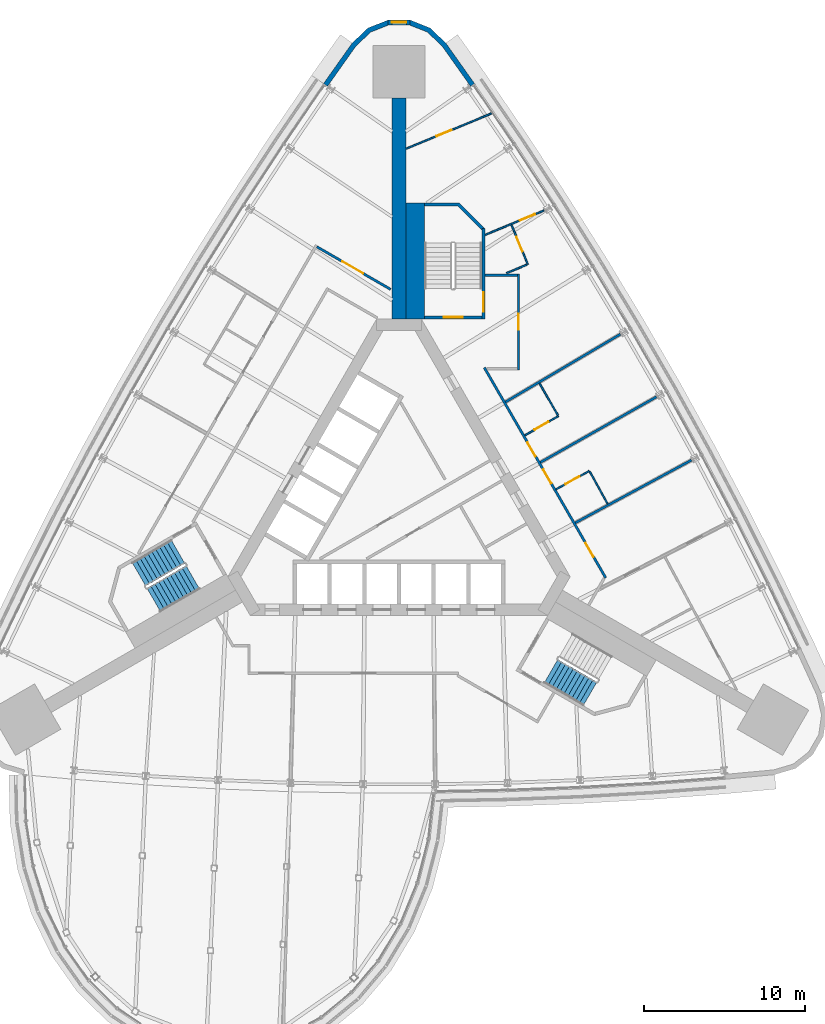
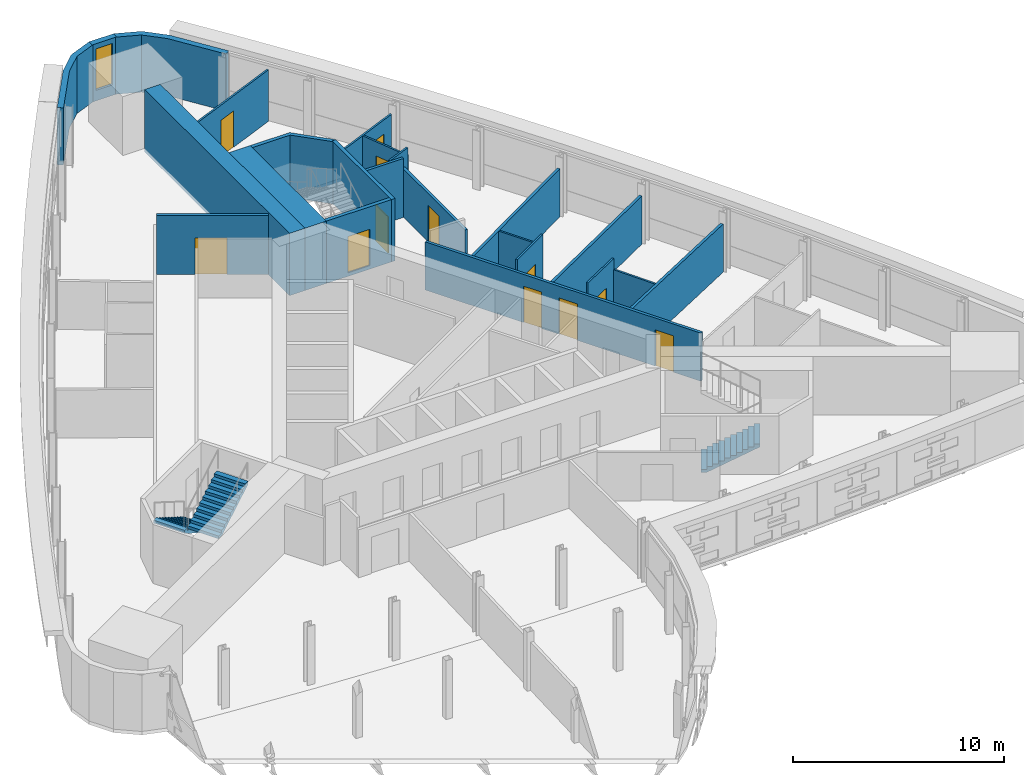
# One storey, part 12 of 16: 23 walls, 12 doors, 3 stair flights, 1 window, 13 openings, 2 elements without a shape of their own.
"""IFC4 building model written with IfcOpenShell, lengths in metres."""

from ifc_helpers import new_model, si_unit, direction, frame, frame_2d, origin, place, context, subcontext, project, spatial, polyline, rectangle, outline, extrude, material, layer, layer_set, type_object, element, fill, aggregate, save


model = new_model("IFC4")

# Units and contexts
model_context = context("Model", 3, precision=1e-05, world=origin(), true_north=direction((0.0, 1.0)))
body_context = subcontext(model_context, "Body", "Model", "MODEL_VIEW")
ifc_project = project(units=[si_unit("LENGTHUNIT", "METRE"), si_unit("AREAUNIT", "SQUARE_METRE"), si_unit("VOLUMEUNIT", "CUBIC_METRE"), si_unit("PLANEANGLEUNIT", "RADIAN"), si_unit("MASSUNIT", "GRAM", prefix="KILO")], contexts=[model_context])

# Site, building, storey
site_placement = place(None, origin())
site = spatial("IfcSite", under=ifc_project, at=site_placement, CompositionType="ELEMENT")
building_placement = place(site_placement, origin())
building = spatial("IfcBuilding", under=site, at=building_placement, Name="Noor Cloister Tower", CompositionType="ELEMENT")
storey_placement = place(building_placement, frame((0.0, 0.0, 61.800048828125)))
storey = spatial("IfcBuildingStorey", under=building, at=storey_placement, Name="L15", CompositionType="ELEMENT", Elevation=61.800048828125)

# Wall
ifc_material_1 = material(Name="Concrete C80/95", Category="concrete")
ifc_layer_1 = layer(ifc_material_1, 0.85009765625)
ifc_layer_set_1 = layer_set([ifc_layer_1], Name="Buttress wall 850 C80/95")
wall_type_1 = type_object("IfcWallType", Name="Buttress wall 850 C80/95", PredefinedType="SHEAR", material=ifc_layer_set_1)
wall_1_placement = place(storey_placement, frame((0.0, 11.456298828125, -0.199951171875), z_axis=(0.0, 0.0, 1.0), x_axis=(0.0, 1.0, 0.0)))
element("IfcWall", 1, at=wall_1_placement, inside=storey, type_object=wall_type_1, Name="Buttress wall N L15", PredefinedType="SHEAR", context=body_context, shape_type="SweptSolid", body=[
    extrude(rectangle(XDim=13.69873046875, YDim=0.85009765625, at=frame_2d((6.849365234375, 0.0))), origin(), (0.0, 0.0, 1.0), 3.599853515625),
])

# Wall, openings, doors
ifc_material_2 = material(Name="Gypsum board partition on steel studs, 150 mm", Category="steel")
ifc_layer_2 = layer(ifc_material_2, 0.14990234375)
ifc_layer_set_2 = layer_set([ifc_layer_2], Name="Flat wall 150")
wall_type_2 = type_object("IfcWallType", Name="Flat wall 150", PredefinedType="PARTITIONING", material=ifc_layer_set_2)
wall_2_placement = place(storey_placement, frame((5.28857421875, 8.4462890625, 0.0), z_axis=(0.0, 0.0, 1.0), x_axis=(0.499996620721, -0.866027354803, 0.0)))
wall_2 = element("IfcWall", 2, at=wall_2_placement, inside=storey, type_object=wall_type_2, Name="Flat wall 150 L15 003", PredefinedType="PARTITIONING", context=body_context, shape_type="SweptSolid", body=[
    extrude(rectangle(XDim=15.056640625, YDim=0.14990234375, at=frame_2d((7.5283203125, 0.0))), origin(), (0.0, 0.0, 1.0), 2.77783203125),
])
opening_1_placement = place(wall_2_placement, frame((12.562744140625, 0.0, 0.0)))
opening_1 = element("IfcOpeningElement", 3, at=opening_1_placement, cuts=wall_2, Name="Opening L15-006", PredefinedType="OPENING", context=body_context, shape_type="SweptSolid", body=[
    extrude(rectangle(XDim=1.0, YDim=2.10009765625, at=frame_2d((0.5, 1.050048828125))), frame((0.0, 0.0849609375, 0.0), z_axis=(0.0, -1.0, 0.0), x_axis=(1.0, 0.0, 0.0)), (0.0, 0.0, 1.0), 0.169921875),
])
opening_2_placement = place(wall_2_placement, frame((7.31201171875, 0.0, 0.0)))
opening_2 = element("IfcOpeningElement", 4, at=opening_2_placement, cuts=wall_2, Name="Opening L15-007", PredefinedType="OPENING", context=body_context, shape_type="SweptSolid", body=[
    extrude(rectangle(XDim=1.0, YDim=2.10009765625, at=frame_2d((0.5, 1.050048828125))), frame((0.0, 0.0849609375, 0.0), z_axis=(0.0, -1.0, 0.0), x_axis=(1.0, 0.0, 0.0)), (0.0, 0.0, 1.0), 0.169921875),
])
opening_3_placement = place(wall_2_placement, frame((5.35595703125, 0.0, 0.0)))
opening_3 = element("IfcOpeningElement", 5, at=opening_3_placement, cuts=wall_2, Name="Opening L15-008", PredefinedType="OPENING", context=body_context, shape_type="SweptSolid", body=[
    extrude(rectangle(XDim=1.0, YDim=2.10009765625, at=frame_2d((0.5, 1.050048828125))), frame((0.0, 0.0849609375, 0.0), z_axis=(0.0, -1.0, 0.0), x_axis=(1.0, 0.0, 0.0)), (0.0, 0.0, 1.0), 0.169921875),
])
ifc_material_3 = material(Name="Timber door leaf with steel frame", Category="steel")
door_type_1 = type_object("IfcDoorType", Name="Flat entrance door 1000 FD60S", OperationType="NOTDEFINED", PredefinedType="DOOR", material=ifc_material_3)
door_1_placement = place(opening_1_placement, origin())
door_1 = element("IfcDoor", 6, at=door_1_placement, inside=storey, type_object=door_type_1, Name="Flat entrance door 1000 L15-006", OperationType="SINGLE_SWING_RIGHT", OverallHeight=2.10009765625, OverallWidth=1.0, PredefinedType="DOOR", context=body_context, shape_type="SweptSolid", body=[
    extrude(rectangle(XDim=1.0, YDim=2.10009765625, at=frame_2d((0.5, 1.050048828125))), frame((0.0, 0.02490234375, 0.0), z_axis=(0.0, -1.0, 0.0), x_axis=(1.0, 0.0, 0.0)), (0.0, 0.0, 1.0), 0.050048828125),
])
fill(opening_1, door_1)
door_2_placement = place(opening_2_placement, origin())
door_2 = element("IfcDoor", 7, at=door_2_placement, inside=storey, type_object=door_type_1, Name="Flat entrance door 1000 L15-007", OperationType="SINGLE_SWING_RIGHT", OverallHeight=2.10009765625, OverallWidth=1.0, PredefinedType="DOOR", context=body_context, shape_type="SweptSolid", body=[
    extrude(rectangle(XDim=1.0, YDim=2.10009765625, at=frame_2d((0.5, 1.050048828125))), frame((0.0, 0.02490234375, 0.0), z_axis=(0.0, -1.0, 0.0), x_axis=(1.0, 0.0, 0.0)), (0.0, 0.0, 1.0), 0.050048828125),
])
fill(opening_2, door_2)
door_3_placement = place(opening_3_placement, origin())
door_3 = element("IfcDoor", 8, at=door_3_placement, inside=storey, type_object=door_type_1, Name="Flat entrance door 1000 L15-008", OperationType="SINGLE_SWING_LEFT", OverallHeight=2.10009765625, OverallWidth=1.0, PredefinedType="DOOR", context=body_context, shape_type="SweptSolid", body=[
    extrude(rectangle(XDim=1.0, YDim=2.10009765625, at=frame_2d((0.5, 1.050048828125))), frame((0.0, 0.02490234375, 0.0), z_axis=(0.0, -1.0, 0.0), x_axis=(1.0, 0.0, 0.0)), (0.0, 0.0, 1.0), 0.050048828125),
])
fill(opening_3, door_3)

# Wall, opening, door
wall_3_placement = place(storey_placement, frame((7.41064453125, 14.25634765625, 0.0), z_axis=(0.0, 0.0, 1.0), x_axis=(0.0, -1.0, 0.0)))
wall_3 = element("IfcWall", 9, at=wall_3_placement, inside=storey, type_object=wall_type_2, Name="Flat wall 150 L15 006", PredefinedType="PARTITIONING", context=body_context, shape_type="SweptSolid", body=[
    extrude(rectangle(XDim=5.949951171875, YDim=0.14990234375, at=frame_2d((2.97509765625, 0.0))), origin(), (0.0, 0.0, 1.0), 2.77783203125),
])
opening_4_placement = place(wall_3_placement, frame((2.47509765625, 0.0, 0.0)))
opening_4 = element("IfcOpeningElement", 10, at=opening_4_placement, cuts=wall_3, Name="Opening L15-012", PredefinedType="OPENING", context=body_context, shape_type="SweptSolid", body=[
    extrude(rectangle(XDim=1.0, YDim=2.10009765625, at=frame_2d((0.5, 1.050048828125))), frame((0.0, 0.0849609375, 0.0), z_axis=(0.0, -1.0, 0.0), x_axis=(1.0, 0.0, 0.0)), (0.0, 0.0, 1.0), 0.169921875),
])
door_4_placement = place(opening_4_placement, origin())
door_4 = element("IfcDoor", 11, at=door_4_placement, inside=storey, type_object=door_type_1, Name="Flat entrance door 1000 L15-012", OperationType="SINGLE_SWING_RIGHT", OverallHeight=2.10009765625, OverallWidth=1.0, PredefinedType="DOOR", context=body_context, shape_type="SweptSolid", body=[
    extrude(rectangle(XDim=1.0, YDim=2.10009765625, at=frame_2d((0.5, 1.050048828125))), frame((0.0, 0.02490234375, 0.0), z_axis=(0.0, -1.0, 0.0), x_axis=(1.0, 0.0, 0.0)), (0.0, 0.0, 1.0), 0.050048828125),
])
fill(opening_4, door_4)

wall_4_placement = place(storey_placement, frame((-5.093017578125, 15.93505859375, 0.0), z_axis=(0.0, 0.0, 1.0), x_axis=(0.866033195618, -0.499986503906, 0.0)))
wall_4 = element("IfcWall", 12, at=wall_4_placement, inside=storey, type_object=wall_type_2, Name="Flat wall 150 L15 007", PredefinedType="PARTITIONING", context=body_context, shape_type="SweptSolid", body=[
    extrude(rectangle(XDim=5.282470703125, YDim=0.14990234375, at=frame_2d((2.64111328125, 0.0))), origin(), (0.0, 0.0, 1.0), 3.39990234375),
])
opening_5_placement = place(wall_4_placement, frame((1.816162109375, 0.0, 0.0)))
opening_5 = element("IfcOpeningElement", 13, at=opening_5_placement, cuts=wall_4, Name="Opening L15-013", PredefinedType="OPENING", context=body_context, shape_type="SweptSolid", body=[
    extrude(rectangle(XDim=1.5, YDim=2.10009765625, at=frame_2d((0.75, 1.050048828125))), frame((0.0, 0.0849609375, 0.0), z_axis=(0.0, -1.0, 0.0), x_axis=(1.0, 0.0, 0.0)), (0.0, 0.0, 1.0), 0.169921875),
])
ifc_material_4 = material(Name="Timber door leaf with steel frame", Category="steel")
door_type_2 = type_object("IfcDoorType", Name="Double door 1500 FD60", OperationType="NOTDEFINED", PredefinedType="DOOR", material=ifc_material_4)
door_5_placement = place(opening_5_placement, origin())
door_5 = element("IfcDoor", 14, at=door_5_placement, inside=storey, type_object=door_type_2, Name="Double door 1500 L15-013", OperationType="DOUBLE_DOOR_SINGLE_SWING", OverallHeight=2.10009765625, OverallWidth=1.5, PredefinedType="DOOR", context=body_context, shape_type="SweptSolid", body=[
    extrude(rectangle(XDim=1.5, YDim=2.10009765625, at=frame_2d((0.75, 1.050048828125))), frame((0.0, 0.02490234375, 0.0), z_axis=(0.0, -1.0, 0.0), x_axis=(1.0, 0.0, 0.0)), (0.0, 0.0, 1.0), 0.050048828125),
])
fill(opening_5, door_5)

# Walls
wall_5_placement = place(storey_placement, frame((5.335693359375, 14.181396484375, 0.0), z_axis=(0.0, 0.0, 1.0), x_axis=(1.0, 0.0, 0.0)))
element("IfcWall", 15, at=wall_5_placement, inside=storey, type_object=wall_type_2, Name="Flat wall 150 L15 009", PredefinedType="PARTITIONING", context=body_context, shape_type="SweptSolid", body=[
    extrude(rectangle(XDim=2.0, YDim=0.14990234375, at=frame_2d((1.0, 0.0))), origin(), (0.0, 0.0, 1.0), 3.39990234375),
])
for number, where, z_axis, x_axis, name in (
    (16, (15.968505859375, 6.630126953125, 0.0), (0.0, 0.0, 1.0), (-0.870767403572, -0.491695158484, 0.0), "Flat wall 150 L15 017"),
    (17, (13.72607421875, 10.513916015625, 0.0), (0.0, 0.0, 1.0), (-0.861212761308, -0.508244606229, 0.0), "Flat wall 150 L15 018"),
):
    element("IfcWall", number, at=place(storey_placement, frame(where, z_axis=z_axis, x_axis=x_axis)), inside=storey, type_object=wall_type_2, Name=name, PredefinedType="PARTITIONING", context=body_context, shape_type="SweptSolid", body=[
        extrude(rectangle(XDim=8.265625, YDim=0.14990234375, at=frame_2d((4.1328125, 0.0))), origin(), (0.0, 0.0, 1.0), 2.77783203125),
    ])
wall_6_placement = place(storey_placement, frame((18.135986328125, 2.7041015625, 0.0), z_axis=(0.0, 0.0, 1.0), x_axis=(-0.879993465077, -0.474985790757, 0.0)))
element("IfcWall", 18, at=wall_6_placement, inside=storey, type_object=wall_type_2, Name="Flat wall 150 L15 019", PredefinedType="PARTITIONING", context=body_context, shape_type="SweptSolid", body=[
    extrude(rectangle(XDim=8.18115234375, YDim=0.14990234375, at=frame_2d((4.090576171875, 0.0))), origin(), (0.0, 0.0, 1.0), 2.77783203125),
])
ifc_material_5 = material(Name="Limestone", Category="masonry")
ifc_layer_3 = layer(ifc_material_5, 0.300048828125)
ifc_layer_set_3 = layer_set([ifc_layer_3], Name="Limestone cladding 300")
wall_type_3 = type_object("IfcWallType", Name="Limestone cladding 300", PredefinedType="NOTDEFINED", material=ifc_layer_set_3)
wall_7_placement = place(storey_placement, origin())
element("IfcWall", 19, at=wall_7_placement, inside=storey, type_object=wall_type_3, Name="Limestone pier cladding L15 3.1", PredefinedType="NOTDEFINED", context=body_context, shape_type="SweptSolid", body=[
    extrude(outline(polyline([(4.683837890625, 26.05810546875), (2.90087890625, 28.576171875), (1.923828125, 29.502197265625), (0.673095703125, 30.000732421875), (0.56201171875, 29.721923828125), (1.75927734375, 29.244873046875), (2.673095703125, 28.378662109375), (4.43896484375, 25.884765625), (4.683837890625, 26.05810546875)])), origin(), (0.0, 0.0, 1.0), 3.300048828125),
])

# Wall, opening, window
wall_8_placement = place(storey_placement, frame((-0.671142578125, 29.8505859375, 0.0), z_axis=(0.0, 0.0, 1.0), x_axis=(1.0, 0.0, 0.0)))
wall_8 = element("IfcWall", 20, at=wall_8_placement, inside=storey, type_object=wall_type_3, Name="Limestone pier wall L15 3.2", PredefinedType="NOTDEFINED", context=body_context, shape_type="SweptSolid", body=[
    extrude(rectangle(XDim=1.34228515625, YDim=0.300048828125, at=frame_2d((0.671142578125, 0.0))), origin(), (0.0, 0.0, 1.0), 3.300048828125),
])
opening_6_placement = place(wall_8_placement, frame((0.22119140625, 0.0, 0.60009765625)))
opening_6 = element("IfcOpeningElement", 21, at=opening_6_placement, cuts=wall_8, Name="Opening L15-C01", PredefinedType="OPENING", context=body_context, shape_type="SweptSolid", body=[
    extrude(rectangle(XDim=0.89990234375, YDim=2.39990234375, at=frame_2d((0.449951171875, 1.199951171875))), frame((0.0, 0.16015625, 0.0), z_axis=(0.0, -1.0, 0.0), x_axis=(1.0, 0.0, 0.0)), (0.0, 0.0, 1.0), 0.320068359375),
])
ifc_material_6 = material(Name="Aluminium 6063-T6 anodised", Category="aluminium")
window_type = type_object("IfcWindowType", Name="Corner lancet window 900 x 2400", PartitioningType="SINGLE_PANEL", PredefinedType="WINDOW", material=ifc_material_6)
window_placement = place(opening_6_placement, origin())
window = element("IfcWindow", 22, at=window_placement, inside=storey, type_object=window_type, Name="Corner window L15 1", OverallHeight=2.39990234375, OverallWidth=0.89990234375, PartitioningType="SINGLE_PANEL", PredefinedType="WINDOW", context=body_context, shape_type="SweptSolid", body=[
    extrude(rectangle(XDim=0.89990234375, YDim=2.39990234375, at=frame_2d((0.449951171875, 1.199951171875))), frame((0.0, 0.030029296875, 0.0), z_axis=(0.0, -1.0, 0.0), x_axis=(1.0, 0.0, 0.0)), (0.0, 0.0, 1.0), 0.06005859375),
])
fill(opening_6, window)

# Wall
wall_9_placement = place(storey_placement, origin())
element("IfcWall", 23, at=wall_9_placement, inside=storey, type_object=wall_type_3, Name="Limestone pier cladding L15 3.3", PredefinedType="NOTDEFINED", context=body_context, shape_type="SweptSolid", body=[
    extrude(outline(polyline([(-0.673095703125, 30.000732421875), (-1.923828125, 29.502197265625), (-2.90087890625, 28.576171875), (-4.683837890625, 26.05810546875), (-4.43896484375, 25.884765625), (-2.673095703125, 28.378662109375), (-1.75927734375, 29.244873046875), (-0.56201171875, 29.721923828125), (-0.673095703125, 30.000732421875)])), origin(), (0.0, 0.0, 1.0), 3.300048828125),
])

# Wall, opening, door
ifc_material_7 = material(Name="Gypsum board partition on steel studs, 100 mm", Category="steel")
ifc_layer_4 = layer(ifc_material_7, 0.10009765625)
ifc_layer_set_4 = layer_set([ifc_layer_4], Name="Partition 100")
wall_type_4 = type_object("IfcWallType", Name="Partition 100", PredefinedType="PARTITIONING", material=ifc_layer_set_4)
wall_10_placement = place(storey_placement, frame((0.444091796875, 22.017578125, 0.0), z_axis=(0.0, 0.0, 1.0), x_axis=(0.924087236974, 0.382181604032, 0.0)))
wall_10 = element("IfcWall", 24, at=wall_10_placement, inside=storey, type_object=wall_type_4, Name="Partition 100 L15 026", PredefinedType="PARTITIONING", context=body_context, shape_type="SweptSolid", body=[
    extrude(rectangle(XDim=5.744140625, YDim=0.10009765625, at=frame_2d((2.8720703125, 0.0))), origin(), (0.0, 0.0, 1.0), 2.973876953125),
])
opening_7_placement = place(wall_10_placement, frame((2.03466796875, 0.0, 0.0)))
opening_7 = element("IfcOpeningElement", 25, at=opening_7_placement, cuts=wall_10, Name="Opening L15-017", PredefinedType="OPENING", context=body_context, shape_type="SweptSolid", body=[
    extrude(rectangle(XDim=1.0, YDim=2.10009765625, at=frame_2d((0.5, 1.050048828125))), frame((0.0, 0.06005859375, 0.0), z_axis=(0.0, -1.0, 0.0), x_axis=(1.0, 0.0, 0.0)), (0.0, 0.0, 1.0), 0.1201171875),
])
ifc_material_8 = material(Name="Timber door leaf with steel frame", Category="steel")
door_type_3 = type_object("IfcDoorType", Name="Interior door 1000", OperationType="NOTDEFINED", PredefinedType="DOOR", material=ifc_material_8)
door_6_placement = place(opening_7_placement, origin())
door_6 = element("IfcDoor", 26, at=door_6_placement, inside=storey, type_object=door_type_3, Name="Interior door 1000 L15-017", OperationType="SINGLE_SWING_LEFT", OverallHeight=2.10009765625, OverallWidth=1.0, PredefinedType="DOOR", context=body_context, shape_type="SweptSolid", body=[
    extrude(rectangle(XDim=1.0, YDim=2.10009765625, at=frame_2d((0.5, 1.050048828125))), frame((0.0, 0.02490234375, 0.0), z_axis=(0.0, -1.0, 0.0), x_axis=(1.0, 0.0, 0.0)), (0.0, 0.0, 1.0), 0.050048828125),
])
fill(opening_7, door_6)

wall_11_placement = place(storey_placement, frame((5.354736328125, 16.681640625, 0.0), z_axis=(0.0, 0.0, 1.0), x_axis=(0.924098331332, 0.382154777583, 0.0)))
wall_11 = element("IfcWall", 27, at=wall_11_placement, inside=storey, type_object=wall_type_4, Name="Partition 100 L15 027", PredefinedType="PARTITIONING", context=body_context, shape_type="SweptSolid", body=[
    extrude(rectangle(XDim=3.9404296875, YDim=0.10009765625, at=frame_2d((1.97021484375, 0.0))), origin(), (0.0, 0.0, 1.0), 2.9228515625),
])
opening_8_placement = place(wall_11_placement, frame((2.330322265625, 0.0, 0.0)))
opening_8 = element("IfcOpeningElement", 28, at=opening_8_placement, cuts=wall_11, Name="Opening L15-018", PredefinedType="OPENING", context=body_context, shape_type="SweptSolid", body=[
    extrude(rectangle(XDim=1.0, YDim=2.10009765625, at=frame_2d((0.5, 1.050048828125))), frame((0.0, 0.06005859375, 0.0), z_axis=(0.0, -1.0, 0.0), x_axis=(1.0, 0.0, 0.0)), (0.0, 0.0, 1.0), 0.1201171875),
])
door_7_placement = place(opening_8_placement, origin())
door_7 = element("IfcDoor", 29, at=door_7_placement, inside=storey, type_object=door_type_3, Name="Interior door 1000 L15-018", OperationType="SINGLE_SWING_RIGHT", OverallHeight=2.10009765625, OverallWidth=1.0, PredefinedType="DOOR", context=body_context, shape_type="SweptSolid", body=[
    extrude(rectangle(XDim=1.0, YDim=2.10009765625, at=frame_2d((0.5, 1.050048828125))), frame((0.0, 0.02490234375, 0.0), z_axis=(0.0, -1.0, 0.0), x_axis=(1.0, 0.0, 0.0)), (0.0, 0.0, 1.0), 0.050048828125),
])
fill(opening_8, door_7)

wall_12_placement = place(storey_placement, frame((7.98779296875, 14.848876953125, 0.0), z_axis=(0.0, 0.0, 1.0), x_axis=(-0.382167332206, 0.92409313935, 0.0)))
wall_12 = element("IfcWall", 30, at=wall_12_placement, inside=storey, type_object=wall_type_4, Name="Partition 100 L15 029", PredefinedType="PARTITIONING", context=body_context, shape_type="SweptSolid", body=[
    extrude(rectangle(XDim=2.64990234375, YDim=0.10009765625, at=frame_2d((1.324951171875, 0.0))), origin(), (0.0, 0.0, 1.0), 2.9228515625),
])
opening_9_placement = place(wall_12_placement, frame((0.85009765625, 0.0, 0.0)))
opening_9 = element("IfcOpeningElement", 31, at=opening_9_placement, cuts=wall_12, Name="Opening L15-019", PredefinedType="OPENING", context=body_context, shape_type="SweptSolid", body=[
    extrude(rectangle(XDim=1.0, YDim=2.10009765625, at=frame_2d((0.5, 1.050048828125))), frame((0.0, 0.06005859375, 0.0), z_axis=(0.0, -1.0, 0.0), x_axis=(1.0, 0.0, 0.0)), (0.0, 0.0, 1.0), 0.1201171875),
])
door_8_placement = place(opening_9_placement, origin())
door_8 = element("IfcDoor", 32, at=door_8_placement, inside=storey, type_object=door_type_3, Name="Interior door 1000 L15-019", OperationType="SINGLE_SWING_RIGHT", OverallHeight=2.10009765625, OverallWidth=1.0, PredefinedType="DOOR", context=body_context, shape_type="SweptSolid", body=[
    extrude(rectangle(XDim=1.0, YDim=2.10009765625, at=frame_2d((0.5, 1.050048828125))), frame((0.0, 0.02490234375, 0.0), z_axis=(0.0, -1.0, 0.0), x_axis=(1.0, 0.0, 0.0)), (0.0, 0.0, 1.0), 0.050048828125),
])
fill(opening_9, door_8)

wall_13_placement = place(storey_placement, frame((7.80517578125, 4.237548828125, 0.0), z_axis=(0.0, 0.0, 1.0), x_axis=(0.866024647952, 0.500001309137, 0.0)))
wall_13 = element("IfcWall", 33, at=wall_13_placement, inside=storey, type_object=wall_type_4, Name="Partition 100 L15 030", PredefinedType="PARTITIONING", context=body_context, shape_type="SweptSolid", body=[
    extrude(rectangle(XDim=2.39990234375, YDim=0.10009765625, at=frame_2d((1.199951171875, 0.0))), origin(), (0.0, 0.0, 1.0), 3.39990234375),
])
opening_10_placement = place(wall_13_placement, frame((0.699951171875, 0.0, 0.0)))
opening_10 = element("IfcOpeningElement", 34, at=opening_10_placement, cuts=wall_13, Name="Opening L15-020", PredefinedType="OPENING", context=body_context, shape_type="SweptSolid", body=[
    extrude(rectangle(XDim=1.0, YDim=2.10009765625, at=frame_2d((0.5, 1.050048828125))), frame((0.0, 0.06005859375, 0.0), z_axis=(0.0, -1.0, 0.0), x_axis=(1.0, 0.0, 0.0)), (0.0, 0.0, 1.0), 0.1201171875),
])
door_9_placement = place(opening_10_placement, origin())
door_9 = element("IfcDoor", 35, at=door_9_placement, inside=storey, type_object=door_type_3, Name="Interior door 1000 L15-020", OperationType="SINGLE_SWING_LEFT", OverallHeight=2.10009765625, OverallWidth=1.0, PredefinedType="DOOR", context=body_context, shape_type="SweptSolid", body=[
    extrude(rectangle(XDim=1.0, YDim=2.10009765625, at=frame_2d((0.5, 1.050048828125))), frame((0.0, 0.02490234375, 0.0), z_axis=(0.0, -1.0, 0.0), x_axis=(1.0, 0.0, 0.0)), (0.0, 0.0, 1.0), 0.050048828125),
])
fill(opening_10, door_9)

wall_14_placement = place(storey_placement, frame((11.805908203125, 2.0361328125, 0.0), z_axis=(0.0, 0.0, 1.0), x_axis=(-0.875396838765, -0.483404979991, 0.0)))
wall_14 = element("IfcWall", 36, at=wall_14_placement, inside=storey, type_object=wall_type_4, Name="Partition 100 L15 031", PredefinedType="PARTITIONING", context=body_context, shape_type="SweptSolid", body=[
    extrude(rectangle(XDim=2.363525390625, YDim=0.10009765625, at=frame_2d((1.181640625, 0.0))), origin(), (0.0, 0.0, 1.0), 3.39990234375),
])
opening_11_placement = place(wall_14_placement, frame((0.699951171875, 0.0, 0.0)))
opening_11 = element("IfcOpeningElement", 37, at=opening_11_placement, cuts=wall_14, Name="Opening L15-021", PredefinedType="OPENING", context=body_context, shape_type="SweptSolid", body=[
    extrude(rectangle(XDim=1.0, YDim=2.10009765625, at=frame_2d((0.5, 1.050048828125))), frame((0.0, 0.06005859375, 0.0), z_axis=(0.0, -1.0, 0.0), x_axis=(1.0, 0.0, 0.0)), (0.0, 0.0, 1.0), 0.1201171875),
])
door_10_placement = place(opening_11_placement, origin())
door_10 = element("IfcDoor", 38, at=door_10_placement, inside=storey, type_object=door_type_3, Name="Interior door 1000 L15-021", OperationType="SINGLE_SWING_RIGHT", OverallHeight=2.10009765625, OverallWidth=1.0, PredefinedType="DOOR", context=body_context, shape_type="SweptSolid", body=[
    extrude(rectangle(XDim=1.0, YDim=2.10009765625, at=frame_2d((0.5, 1.050048828125))), frame((0.0, 0.02490234375, 0.0), z_axis=(0.0, -1.0, 0.0), x_axis=(1.0, 0.0, 0.0)), (0.0, 0.0, 1.0), 0.050048828125),
])
fill(opening_11, door_10)

# Walls
wall_15_placement = place(storey_placement, frame((12.938720703125, -0.015380859375, 0.0), z_axis=(0.0, 0.0, 1.0), x_axis=(-0.483372784024, 0.875414617004, 0.0)))
element("IfcWall", 39, at=wall_15_placement, inside=storey, type_object=wall_type_4, Name="Partition 100 L15 032", PredefinedType="PARTITIONING", context=body_context, shape_type="SweptSolid", body=[
    extrude(rectangle(XDim=2.29345703125, YDim=0.10009765625, at=frame_2d((1.146728515625, 0.0))), origin(), (0.0, 0.0, 1.0), 2.77783203125),
])
wall_16_placement = place(storey_placement, frame((8.7119140625, 7.467041015625, 0.0), z_axis=(0.0, 0.0, 1.0), x_axis=(0.499940558499, -0.866059719631, 0.0)))
element("IfcWall", 40, at=wall_16_placement, inside=storey, type_object=wall_type_4, Name="Partition 100 L15 033", PredefinedType="PARTITIONING", context=body_context, shape_type="SweptSolid", body=[
    extrude(rectangle(XDim=2.293212890625, YDim=0.10009765625, at=frame_2d((1.146484375, 0.0))), origin(), (0.0, 0.0, 1.0), 2.77783203125),
])
wall_17_placement = place(storey_placement, frame((6.6669921875, 14.302490234375, 0.0), z_axis=(0.0, 0.0, 1.0), x_axis=(0.924079363502, 0.382200640958, 0.0)))
element("IfcWall", 41, at=wall_17_placement, inside=storey, type_object=wall_type_4, Name="Partition 100 L15 036", PredefinedType="PARTITIONING", context=body_context, shape_type="SweptSolid", body=[
    extrude(rectangle(XDim=1.379150390625, YDim=0.10009765625, at=frame_2d((0.689453125, 0.0))), origin(), (0.0, 0.0, 1.0), 3.39990234375),
])
ifc_material_9 = material(Name="Concrete C80/95", Category="concrete")
ifc_layer_5 = layer(ifc_material_9, 1.160888671875)
ifc_layer_set_5 = layer_set([ifc_layer_5], Name="Stair enclosure wall 1161 C80/95")
wall_type_5 = type_object("IfcWallType", Name="Stair enclosure wall 1161 C80/95", PredefinedType="SHEAR", material=ifc_layer_set_5)
wall_18_placement = place(storey_placement, frame((1.00537109375, 11.456298828125, -0.199951171875), z_axis=(0.0, 0.0, 1.0), x_axis=(0.0, 1.0, 0.0)))
element("IfcWall", 42, at=wall_18_placement, inside=storey, type_object=wall_type_5, Name="Stair enclosure wall ST1 L15 riser side", PredefinedType="SHEAR", context=body_context, shape_type="SweptSolid", body=[
    extrude(rectangle(XDim=7.2001953125, YDim=1.16064453125, at=frame_2d((3.60009765625, 0.0))), origin(), (0.0, 0.0, 1.0), 3.599853515625),
])

# Wall, opening, door
ifc_material_10 = material(Name="Concrete C80/95", Category="concrete")
ifc_layer_6 = layer(ifc_material_10, 0.199951171875)
ifc_layer_set_6 = layer_set([ifc_layer_6], Name="Stair enclosure wall 200 C80/95")
wall_type_6 = type_object("IfcWallType", Name="Stair enclosure wall 200 C80/95", PredefinedType="SHEAR", material=ifc_layer_set_6)
wall_19_placement = place(storey_placement, frame((5.135498046875, 11.556396484375, -0.199951171875), z_axis=(0.0, 0.0, 1.0), x_axis=(-1.0, 0.0, 0.0)))
wall_19 = element("IfcWall", 43, at=wall_19_placement, inside=storey, type_object=wall_type_6, Name="Stair enclosure wall ST1 L15 near end", PredefinedType="SHEAR", context=body_context, shape_type="SweptSolid", body=[
    extrude(rectangle(XDim=3.5498046875, YDim=0.199951171875, at=frame_2d((1.77490234375, 0.0))), origin(), (0.0, 0.0, 1.0), 3.599853515625),
])
opening_12_placement = place(wall_19_placement, frame((1.175048828125, 0.0, 0.199951171875)))
opening_12 = element("IfcOpeningElement", 44, at=opening_12_placement, cuts=wall_19, Name="Opening L15-ST1L", PredefinedType="OPENING", context=body_context, shape_type="SweptSolid", body=[
    extrude(rectangle(XDim=1.199951171875, YDim=2.10009765625, at=frame_2d((0.60009765625, 1.050048828125))), frame((0.0, 0.10986328125, 0.0), z_axis=(0.0, -1.0, 0.0), x_axis=(1.0, 0.0, 0.0)), (0.0, 0.0, 1.0), 0.219970703125),
])
ifc_material_11 = material(Name="Steel", Category="steel")
door_type_4 = type_object("IfcDoorType", Name="Stair door 1200 x 2100 FD120", OperationType="SINGLE_SWING_LEFT", PredefinedType="DOOR", material=ifc_material_11)
door_11_placement = place(opening_12_placement, origin())
door_11 = element("IfcDoor", 45, at=door_11_placement, inside=storey, type_object=door_type_4, Name="Stair door ST1 L15", OperationType="SINGLE_SWING_RIGHT", OverallHeight=2.10009765625, OverallWidth=1.199951171875, PredefinedType="DOOR", context=body_context, shape_type="SweptSolid", body=[
    extrude(rectangle(XDim=1.199951171875, YDim=2.10009765625, at=frame_2d((0.60009765625, 1.050048828125))), frame((0.0, 0.02490234375, 0.0), z_axis=(0.0, -1.0, 0.0), x_axis=(1.0, 0.0, 0.0)), (0.0, 0.0, 1.0), 0.050048828125),
])
fill(opening_12, door_11)

wall_20_placement = place(storey_placement, frame((5.235595703125, 11.456298828125, -0.199951171875), z_axis=(0.0, 0.0, 1.0), x_axis=(0.0, 1.0, 0.0)))
wall_20 = element("IfcWall", 46, at=wall_20_placement, inside=storey, type_object=wall_type_6, Name="Stair enclosure wall ST1 L15 outer side", PredefinedType="SHEAR", context=body_context, shape_type="SweptSolid", body=[
    extrude(rectangle(XDim=5.60009765625, YDim=0.199951171875, at=frame_2d((2.800048828125, 0.0))), origin(), (0.0, 0.0, 1.0), 3.599853515625),
])
opening_13_placement = place(wall_20_placement, frame((0.449951171875, 0.0, 0.199951171875)))
opening_13 = element("IfcOpeningElement", 47, at=opening_13_placement, cuts=wall_20, Name="Opening L15-ST1C", PredefinedType="OPENING", context=body_context, shape_type="SweptSolid", body=[
    extrude(rectangle(XDim=1.199951171875, YDim=2.10009765625, at=frame_2d((0.60009765625, 1.050048828125))), frame((0.0, 0.10986328125, 0.0), z_axis=(0.0, -1.0, 0.0), x_axis=(1.0, 0.0, 0.0)), (0.0, 0.0, 1.0), 0.219970703125),
])
door_12_placement = place(opening_13_placement, origin())
door_12 = element("IfcDoor", 48, at=door_12_placement, inside=storey, type_object=door_type_4, Name="Stair door ST1 L15", OperationType="SINGLE_SWING_LEFT", OverallHeight=2.10009765625, OverallWidth=1.199951171875, PredefinedType="DOOR", context=body_context, shape_type="SweptSolid", body=[
    extrude(rectangle(XDim=1.199951171875, YDim=2.10009765625, at=frame_2d((0.60009765625, 1.050048828125))), frame((0.0, 0.02490234375, 0.0), z_axis=(0.0, -1.0, 0.0), x_axis=(1.0, 0.0, 0.0)), (0.0, 0.0, 1.0), 0.050048828125),
])
fill(opening_13, door_12)

# Wall
ifc_material_12 = material(Name="Concrete C80/95", Category="concrete")
wall_type_7 = type_object("IfcWallType", Name="Stair far end wall C80/95", PredefinedType="SHEAR", material=ifc_material_12)
wall_21_placement = place(storey_placement, frame((0.0, 0.0, -0.199951171875)))
element("IfcWall", 49, at=wall_21_placement, inside=storey, type_object=wall_type_7, Name="Stair enclosure wall ST1 L15 far end", PredefinedType="SHEAR", context=body_context, shape_type="SweptSolid", body=[
    extrude(outline(polyline([(5.335693359375, 17.056396484375), (3.735595703125, 18.656494140625), (1.585693359375, 18.656494140625), (1.585693359375, 18.456298828125), (3.65283203125, 18.456298828125), (5.135498046875, 16.9736328125), (5.135498046875, 17.056396484375), (5.135498046875, 17.056396484375), (5.135498046875, 17.056396484375), (5.135498046875, 17.056396484375), (5.135498046875, 17.056396484375), (5.135498046875, 17.056396484375), (5.135498046875, 17.056396484375), (5.135498046875, 17.056396484375), (5.135498046875, 17.056396484375), (5.135498046875, 17.056396484375), (5.135498046875, 17.056396484375), (5.135498046875, 17.056396484375), (5.135498046875, 17.056396484375), (5.135498046875, 17.056396484375), (5.135498046875, 17.056396484375), (5.135498046875, 17.056396484375), (5.135498046875, 17.056396484375), (5.335693359375, 17.056396484375)])), origin(), (0.0, 0.0, 1.0), 3.599853515625),
])

# Stair, stair flights
ifc_material_13 = material(Name="Concrete C40/50", Category="concrete")
stair_type = type_object("IfcStairType", Name="Exit stair 22 risers", PredefinedType="HALF_TURN_STAIR", material=ifc_material_13)
stair_1_placement = place(storey_placement, origin())
stair_1 = element("IfcStair", 50, at=stair_1_placement, inside=storey, type_object=stair_type, Name="Exit stair ST2 L15", PredefinedType="HALF_TURN_STAIR")
ifc_material_14 = material(Name="Concrete C40/50", Category="concrete")
stair_flight_type = type_object("IfcStairFlightType", Name="Exit stair flight", PredefinedType="STRAIGHT", material=ifc_material_14)
stair_flight_1_placement = place(storey_placement, frame((-13.709716796875, -2.966796875, 0.0), z_axis=(0.0, 0.0, 1.0), x_axis=(-0.866025403784, -0.5, 0.0)))
stair_flight_1 = element("IfcStairFlight", 51, at=stair_flight_1_placement, type_object=stair_flight_type, Name="ST2 flight 1", NumberOfRisers=11, NumberOfTreads=10, PredefinedType="STRAIGHT", RiserHeight=0.163636364, TreadLength=0.28, context=body_context, shape_type="SweptSolid", body=[
    extrude(outline(polyline([(0.0, 0.0), (0.0, 0.16357421875), (0.280029296875, 0.16357421875), (0.280029296875, 0.327392578125), (0.56005859375, 0.327392578125), (0.56005859375, 0.490966796875), (0.840087890625, 0.490966796875), (0.840087890625, 0.654541015625), (1.1201171875, 0.654541015625), (1.1201171875, 0.818115234375), (1.39990234375, 0.818115234375), (1.39990234375, 0.98193359375), (1.679931640625, 0.98193359375), (1.679931640625, 1.1455078125), (1.9599609375, 1.1455078125), (1.9599609375, 1.30908203125), (2.239990234375, 1.30908203125), (2.239990234375, 1.47265625), (2.52001953125, 1.47265625), (2.52001953125, 1.636474609375), (2.800048828125, 1.636474609375), (2.800048828125, 1.800048828125), (2.800048828125, 1.462646484375), (0.297119140625, 0.0), (0.0, 0.0)])), frame((0.0, 0.85009765625, 0.0), z_axis=(0.0, -1.0, 0.0), x_axis=(1.0, 0.0, 0.0)), (0.0, 0.0, 1.0), 1.699951171875),
])
stair_flight_2_placement = place(storey_placement, frame((-15.209716796875, -5.968994140625, 1.800048828125), z_axis=(0.0, 0.0, 1.0), x_axis=(0.866025403784, 0.5, 0.0)))
stair_flight_2 = element("IfcStairFlight", 52, at=stair_flight_2_placement, type_object=stair_flight_type, Name="ST2 flight 2", NumberOfRisers=11, NumberOfTreads=10, PredefinedType="STRAIGHT", RiserHeight=0.163636364, TreadLength=0.28, context=body_context, shape_type="SweptSolid", body=[
    extrude(outline(polyline([(0.0, 0.0), (0.0, 0.16357421875), (0.280029296875, 0.16357421875), (0.280029296875, 0.327392578125), (0.56005859375, 0.327392578125), (0.56005859375, 0.490966796875), (0.840087890625, 0.490966796875), (0.840087890625, 0.654541015625), (1.1201171875, 0.654541015625), (1.1201171875, 0.818115234375), (1.39990234375, 0.818115234375), (1.39990234375, 0.98193359375), (1.679931640625, 0.98193359375), (1.679931640625, 1.1455078125), (1.9599609375, 1.1455078125), (1.9599609375, 1.30908203125), (2.239990234375, 1.30908203125), (2.239990234375, 1.47265625), (2.52001953125, 1.47265625), (2.52001953125, 1.636474609375), (2.800048828125, 1.636474609375), (2.800048828125, 1.800048828125), (2.800048828125, 1.462646484375), (0.297119140625, 0.0), (0.0, 0.0)])), frame((0.0, 0.85009765625, 0.0), z_axis=(0.0, -1.0, 0.0), x_axis=(1.0, 0.0, 0.0)), (0.0, 0.0, 1.0), 1.699951171875),
])
aggregate(stair_1, [stair_flight_1, stair_flight_2])

# Stair, stair flight
stair_2_placement = place(storey_placement, origin())
stair_2 = element("IfcStair", 53, at=stair_2_placement, inside=storey, type_object=stair_type, Name="Exit stair ST3 L15", PredefinedType="HALF_TURN_STAIR")
stair_flight_3_placement = place(storey_placement, frame((9.424072265625, -10.3896484375, 0.0), z_axis=(0.0, 0.0, 1.0), x_axis=(0.866025403784, -0.5, 0.0)))
stair_flight_3 = element("IfcStairFlight", 54, at=stair_flight_3_placement, type_object=stair_flight_type, Name="ST3 flight 1", NumberOfRisers=11, NumberOfTreads=10, PredefinedType="STRAIGHT", RiserHeight=0.163636364, TreadLength=0.28, context=body_context, shape_type="SweptSolid", body=[
    extrude(outline(polyline([(0.0, 0.0), (0.0, 0.16357421875), (0.280029296875, 0.16357421875), (0.280029296875, 0.327392578125), (0.56005859375, 0.327392578125), (0.56005859375, 0.490966796875), (0.840087890625, 0.490966796875), (0.840087890625, 0.654541015625), (1.1201171875, 0.654541015625), (1.1201171875, 0.818115234375), (1.39990234375, 0.818115234375), (1.39990234375, 0.98193359375), (1.679931640625, 0.98193359375), (1.679931640625, 1.1455078125), (1.9599609375, 1.1455078125), (1.9599609375, 1.30908203125), (2.239990234375, 1.30908203125), (2.239990234375, 1.47265625), (2.52001953125, 1.47265625), (2.52001953125, 1.636474609375), (2.800048828125, 1.636474609375), (2.800048828125, 1.800048828125), (2.800048828125, 1.462646484375), (0.297119140625, 0.0), (0.0, 0.0)])), frame((0.0, 0.85009765625, 0.0), z_axis=(0.0, -1.0, 0.0), x_axis=(1.0, 0.0, 0.0)), (0.0, 0.0, 1.0), 1.699951171875),
])
aggregate(stair_2, [stair_flight_3])

save(model, "model.ifc")
